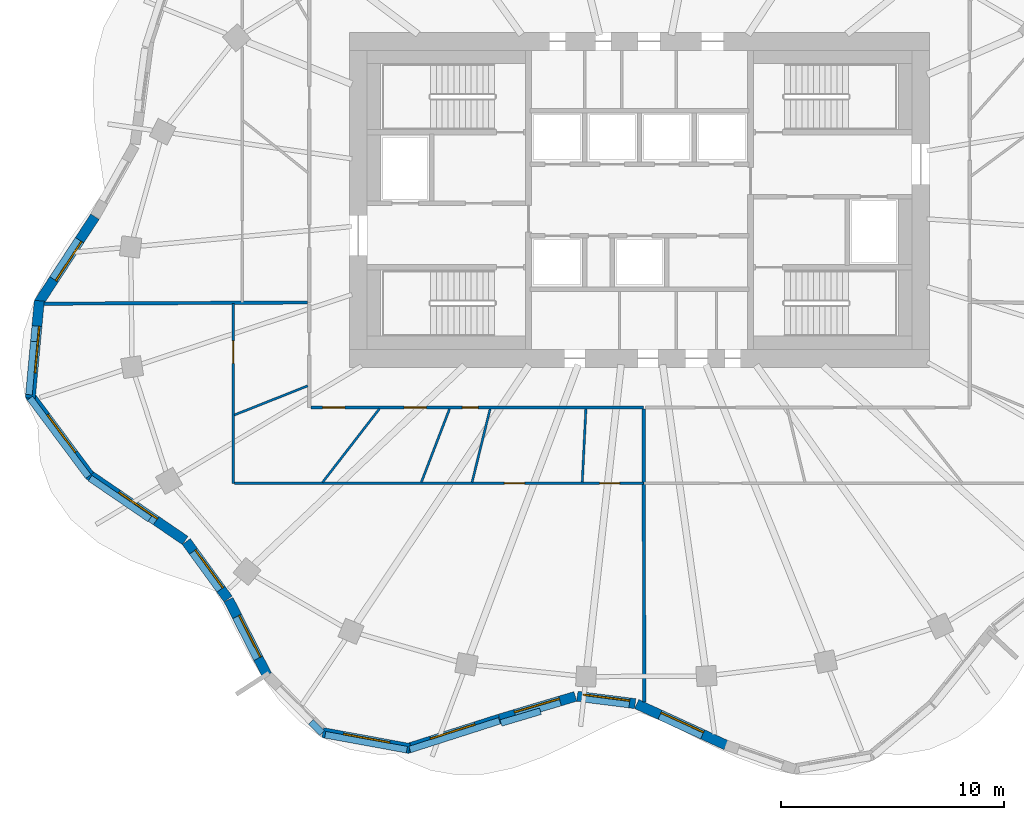
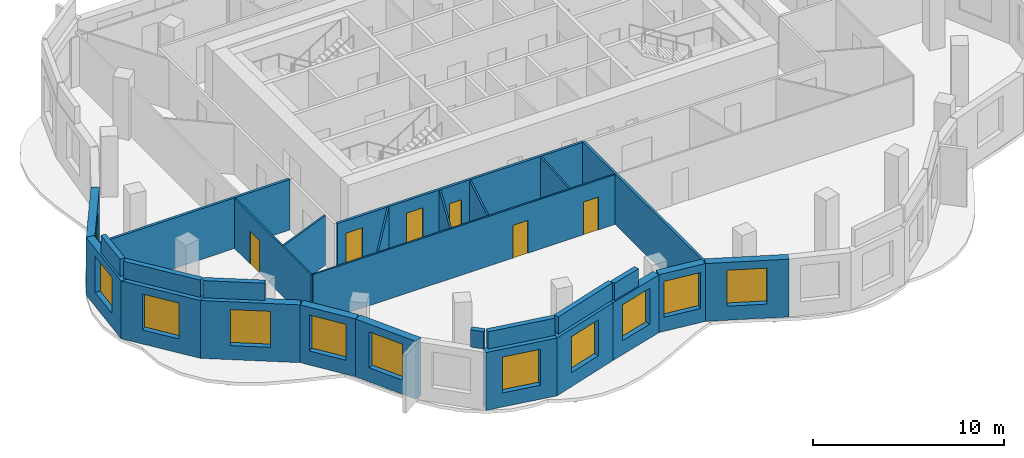
# One storey, part 3 of 9: 28 walls, 11 windows, 6 doors, 17 openings.
"""IFC4 building model written with IfcOpenShell, lengths in metres."""

import ifcopenshell
import ifcopenshell.guid

model = None  # the IFC model being written
_history = None  # IfcOwnerHistory: only IFC2X3 demands one
_inside = {}  # id of a spatial element -> (the spatial element, [elements in it])
_under = {}  # id of a project, library or spatial element -> (it, [spatial elements below it])
_declared = {}  # id of a project -> (the project, [libraries it declares])
_typed = {}  # id of a type object -> (the type object, [elements of that type])
_made_of = {}  # id of a material, layer set ... -> (it, [elements and type objects made of it])


def new_model(schema):
    """Start an empty IFC model of exactly this schema.

    Asked for "IFC4X3", IfcOpenShell would pick the latest addendum, in which some entities
    have other attributes; the version numbers below select the first issue.
    IFC2X3 requires an IfcOwnerHistory on every rooted entity: one is made here for all.
    """
    global model, _history
    if schema == "IFC4X3":
        model = ifcopenshell.file(schema_version=(4, 3, 0, 0))
    else:
        model = ifcopenshell.file(schema=schema)
    _inside.clear()
    _under.clear()
    _declared.clear()
    _typed.clear()
    _made_of.clear()
    _history = None
    if model.schema == "IFC2X3":
        org = make("IfcOrganization", Name="unknown")
        user = make(
            "IfcPersonAndOrganization",
            ThePerson=make("IfcPerson", FamilyName="unknown"),
            TheOrganization=org,
        )
        app = make(
            "IfcApplication",
            ApplicationDeveloper=org,
            Version="unknown",
            ApplicationFullName="unknown",
            ApplicationIdentifier="unknown",
        )
        _history = make(
            "IfcOwnerHistory",
            OwningUser=user,
            OwningApplication=app,
            ChangeAction="ADDED",
            CreationDate=0,
        )
    return model


def make(cls, **values):
    """One entity of the class cls with the attributes given. An attribute that is None is left unset."""
    return model.create_entity(
        cls, **{name: value for name, value in values.items() if value is not None}
    )


def rooted(cls, **values):
    """An entity with a GlobalId (a new one), such as an element, a storey or a relation."""
    return make(cls, GlobalId=ifcopenshell.guid.new(), OwnerHistory=_history, **values)


def si_unit(unit_type, name, prefix=None):
    """IfcSIUnit, for example si_unit("LENGTHUNIT", "METRE", prefix="MILLI")."""
    return make("IfcSIUnit", UnitType=unit_type, Prefix=prefix, Name=name)


def assignment(units):
    """IfcUnitAssignment: the units of a project."""
    return None if units is None else make("IfcUnitAssignment", Units=units)


def point(xyz):
    """IfcCartesianPoint."""
    return None if xyz is None else make("IfcCartesianPoint", Coordinates=xyz)


def direction(xyz):
    """IfcDirection."""
    return None if xyz is None else make("IfcDirection", DirectionRatios=xyz)


def frame(location, z_axis=None, x_axis=None):
    """IfcAxis2Placement3D, a coordinate frame: its origin and axes. An axis left out is left unset."""
    return make(
        "IfcAxis2Placement3D",
        Location=point(location),
        Axis=direction(z_axis),
        RefDirection=direction(x_axis),
    )


def frame_2d(location, x_axis=None):
    """IfcAxis2Placement2D, a coordinate frame in the plane: its origin and x axis."""
    return make(
        "IfcAxis2Placement2D", Location=point(location), RefDirection=direction(x_axis)
    )


def origin():
    """The frame at (0, 0, 0) with its axes left unset."""
    return frame((0.0, 0.0, 0.0))


def place(relative_to, where):
    """IfcLocalPlacement: puts the frame where relative to a parent placement (None: the world)."""
    return make(
        "IfcLocalPlacement", PlacementRelTo=relative_to, RelativePlacement=where
    )


def context(
    kind, dimensions, precision=None, world=None, true_north=None, identifier=None
):
    """IfcGeometricRepresentationContext, for example the 3D "Model" context."""
    return make(
        "IfcGeometricRepresentationContext",
        ContextIdentifier=identifier,
        ContextType=kind,
        CoordinateSpaceDimension=dimensions,
        Precision=precision,
        WorldCoordinateSystem=world,
        TrueNorth=true_north,
    )


def subcontext(parent, identifier, kind, view, scale=None):
    """IfcGeometricRepresentationSubContext, for example "Body" below "Model"."""
    return make(
        "IfcGeometricRepresentationSubContext",
        ContextIdentifier=identifier,
        ContextType=kind,
        ParentContext=parent,
        TargetScale=scale,
        TargetView=view,
    )


def project(units=None, contexts=None):
    """IfcProject with its units and contexts."""
    return rooted(
        "IfcProject",
        Name="project",
        RepresentationContexts=contexts,
        UnitsInContext=assignment(units),
    )


def spatial(cls, under=None, at=None, **own):
    """A site, building, storey or space (cls), placed at a placement, below another one or the project."""
    s = rooted(cls, ObjectPlacement=at, **own)
    if under is not None:
        _under.setdefault(under.id(), (under, []))[1].append(s)
    return s


def profile(cls, at=None, kind="AREA", **sizes):
    """A parametric profile (cls). Its sizes go by their IFC names, for example OverallWidth=200.0."""
    return make(cls, ProfileType=kind, Position=at, **sizes)


def rectangle(**sizes):
    """IfcRectangleProfileDef."""
    return profile("IfcRectangleProfileDef", **sizes)


def extrude(swept, where, along, depth):
    """IfcExtrudedAreaSolid: the profile swept, set in the frame where, extruded along a direction by depth."""
    return make(
        "IfcExtrudedAreaSolid",
        SweptArea=swept,
        Position=where,
        ExtrudedDirection=direction(along),
        Depth=depth,
    )


def shape(context_of_items, identifier, shape_type, items):
    """IfcShapeRepresentation: the items that make up one representation, for example the "Body"."""
    return make(
        "IfcShapeRepresentation",
        ContextOfItems=context_of_items,
        RepresentationIdentifier=identifier,
        RepresentationType=shape_type,
        Items=items,
    )


def material(Name=None, Category=None):
    """IfcMaterial."""
    return make("IfcMaterial", Name=Name, Category=Category)


def layer(
    of_material, thickness, ventilated=None, Name=None, Category=None, Priority=None
):
    """IfcMaterialLayer: one layer of a wall or slab, of a material (None: an air gap)."""
    return make(
        "IfcMaterialLayer",
        Material=of_material,
        LayerThickness=thickness,
        IsVentilated=ventilated,
        Name=Name,
        Category=Category,
        Priority=Priority,
    )


def layer_set(layers, Name=None):
    """IfcMaterialLayerSet."""
    return make("IfcMaterialLayerSet", MaterialLayers=layers, LayerSetName=Name)


def made_of(thing, what):
    """Note that an element or type object is made of a material, layer set ...; save() writes the relation."""
    if what is not None:
        _made_of.setdefault(what.id(), (what, []))[1].append(thing)
    return thing


def type_object(cls, material=None, **own):
    """A type object (cls), such as IfcWallType, which elements share."""
    return made_of(rooted(cls, **own), material)


def element(
    cls,
    number,
    at=None,
    inside=None,
    cuts=None,
    type_object=None,
    material=None,
    context=None,
    identifier="Body",
    shape_type=None,
    held_by="IfcProductDefinitionShape",
    body=None,
    shapes=None,
    **own,
):
    """One element of the class cls, such as IfcWall. Its Tag is "e" and its number.

    at: its placement. inside: the storey or other place that contains it. cuts: it is an
    opening in that element (IfcRelVoidsElement). A single representation is given by context,
    identifier, shape_type and body (its items); several are given by shapes. held_by: the class
    of the entity that holds the representations. save() writes the other relations.
    """
    e = rooted(cls, Tag="e%d" % number, ObjectPlacement=at, **own)
    if body is not None:
        shapes = [shape(context, identifier, shape_type, body)]
    if shapes is not None:
        e.Representation = make(held_by, Representations=shapes)
    if inside is not None:
        _inside.setdefault(inside.id(), (inside, []))[1].append(e)
    if cuts is not None:
        rooted(
            "IfcRelVoidsElement", RelatingBuildingElement=cuts, RelatedOpeningElement=e
        )
    if type_object is not None:
        _typed.setdefault(type_object.id(), (type_object, []))[1].append(e)
    return made_of(e, material)


def fill(opening, filler):
    """IfcRelFillsElement: the door or window that sits in an opening."""
    return rooted(
        "IfcRelFillsElement",
        RelatingOpeningElement=opening,
        RelatedBuildingElement=filler,
    )


def aggregate(whole, parts):
    """IfcRelAggregates: a whole, such as a stair, and the parts it consists of."""
    return rooted("IfcRelAggregates", RelatingObject=whole, RelatedObjects=parts)


def save(model, path):
    """Write the relations noted so far, then the file.

    IfcRelAggregates (storeys below a building ...), IfcRelContainedInSpatialStructure (elements
    in a storey), IfcRelDefinesByType, IfcRelAssociatesMaterial and IfcRelDeclares: one each for
    every whole, place, type object, material and project.
    """
    for whole, parts in _under.values():
        aggregate(whole, parts)
    for where, things in _inside.values():
        rooted(
            "IfcRelContainedInSpatialStructure",
            RelatedElements=things,
            RelatingStructure=where,
        )
    for kind, things in _typed.values():
        rooted("IfcRelDefinesByType", RelatedObjects=things, RelatingType=kind)
    for what, things in _made_of.values():
        rooted("IfcRelAssociatesMaterial", RelatedObjects=things, RelatingMaterial=what)
    for by, libraries in _declared.values():
        rooted("IfcRelDeclares", RelatingContext=by, RelatedDefinitions=libraries)
    model.write(path)


model = new_model("IFC4")

# Units and contexts
model_context = context("Model", 3, precision=1e-05, world=origin(), true_north=direction((0.0, 1.0)))
body_context = subcontext(model_context, "Body", "Model", "MODEL_VIEW")
ifc_project = project(units=[si_unit("LENGTHUNIT", "METRE"), si_unit("AREAUNIT", "SQUARE_METRE"), si_unit("VOLUMEUNIT", "CUBIC_METRE"), si_unit("PLANEANGLEUNIT", "RADIAN"), si_unit("MASSUNIT", "GRAM", prefix="KILO")], contexts=[model_context])

# Site, building, storey
site_placement = place(None, origin())
site = spatial("IfcSite", under=ifc_project, at=site_placement, CompositionType="ELEMENT")
building_placement = place(site_placement, origin())
building = spatial("IfcBuilding", under=site, at=building_placement, Name="Rubra Terraces Tower", CompositionType="ELEMENT")
storey_placement = place(building_placement, frame((0.0, 0.0, 300.0)))
storey = spatial("IfcBuildingStorey", under=building, at=storey_placement, Name="L74", CompositionType="ELEMENT", Elevation=300.0)

# Wall, opening, window
ifc_material_1 = material(Name="Brick masonry red-brown", Category="masonry")
ifc_layer_1 = layer(ifc_material_1, 0.449951171875)
ifc_layer_set_1 = layer_set([ifc_layer_1], Name="Brick masonry red-brown")
wall_type_1 = type_object("IfcWallType", Name="Brick facade wall 450", PredefinedType="SOLIDWALL", material=ifc_layer_set_1)
wall_1_placement = place(storey_placement, frame((-24.401123046875, 3.74462890625, 0.0), z_axis=(0.0, 0.0, 1.0), x_axis=(-0.547072638725, -0.837085137819, 0.0)))
wall_1 = element("IfcWall", 1, at=wall_1_placement, inside=storey, type_object=wall_type_1, Name="Facade wall L74 bay 20", PredefinedType="SOLIDWALL", context=body_context, shape_type="SweptSolid", body=[
    extrude(rectangle(XDim=4.61572265625, YDim=0.449951171875, at=frame_2d((2.307861328125, 0.0))), origin(), (0.0, 0.0, 1.0), 3.699951171875),
])
opening_1_placement = place(wall_1_placement, frame((1.2578125, 0.0, 0.89990234375)))
opening_1 = element("IfcOpeningElement", 2, at=opening_1_placement, cuts=wall_1, Name="Opening W1B", PredefinedType="OPENING", context=body_context, shape_type="SweptSolid", body=[
    extrude(rectangle(XDim=2.10009765625, YDim=2.300048828125, at=frame_2d((1.050048828125, 1.14990234375))), frame((0.0, 0.23486328125, 0.0), z_axis=(0.0, -1.0, 0.0), x_axis=(1.0, 0.0, 0.0)), (0.0, 0.0, 1.0), 0.469970703125),
])
ifc_material_2 = material(Name="Clear glass in aluminium frame", Category="aluminium")
window_type = type_object("IfcWindowType", Name="Fixed deep-set window tall storey 2100 x 2300", PartitioningType="SINGLE_PANEL", PredefinedType="WINDOW", material=ifc_material_2)
window_1_placement = place(opening_1_placement, origin())
window_1 = element("IfcWindow", 3, at=window_1_placement, inside=storey, type_object=window_type, Name="Window L74 bay 20", OverallHeight=2.300048828125, OverallWidth=2.10009765625, PartitioningType="SINGLE_PANEL", PredefinedType="WINDOW", context=body_context, shape_type="SweptSolid", body=[
    extrude(rectangle(XDim=2.10009765625, YDim=2.300048828125, at=frame_2d((1.050048828125, 1.14990234375))), frame((0.0, 0.135009765625, 0.0), z_axis=(0.0, -1.0, 0.0), x_axis=(1.0, 0.0, 0.0)), (0.0, 0.0, 1.0), 0.06005859375),
])
fill(opening_1, window_1)

wall_2_placement = place(storey_placement, frame((-26.892822265625, -0.020751953125, 0.0), z_axis=(0.0, 0.0, 1.0), x_axis=(-0.092079421996, -0.995751665851, 0.0)))
wall_2 = element("IfcWall", 4, at=wall_2_placement, inside=storey, type_object=wall_type_1, Name="Facade wall L74 bay 21", PredefinedType="SOLIDWALL", context=body_context, shape_type="SweptSolid", body=[
    extrude(rectangle(XDim=4.37744140625, YDim=0.449951171875, at=frame_2d((2.188720703125, 0.0))), origin(), (0.0, 0.0, 1.0), 3.699951171875),
])
opening_2_placement = place(wall_2_placement, frame((1.138916015625, 0.0, 0.89990234375)))
opening_2 = element("IfcOpeningElement", 5, at=opening_2_placement, cuts=wall_2, Name="Opening W1B", PredefinedType="OPENING", context=body_context, shape_type="SweptSolid", body=[
    extrude(rectangle(XDim=2.10009765625, YDim=2.300048828125, at=frame_2d((1.050048828125, 1.14990234375))), frame((0.0, 0.23486328125, 0.0), z_axis=(0.0, -1.0, 0.0), x_axis=(1.0, 0.0, 0.0)), (0.0, 0.0, 1.0), 0.469970703125),
])
window_2_placement = place(opening_2_placement, origin())
window_2 = element("IfcWindow", 6, at=window_2_placement, inside=storey, type_object=window_type, Name="Window L74 bay 21", OverallHeight=2.300048828125, OverallWidth=2.10009765625, PartitioningType="SINGLE_PANEL", PredefinedType="WINDOW", context=body_context, shape_type="SweptSolid", body=[
    extrude(rectangle(XDim=2.10009765625, YDim=2.300048828125, at=frame_2d((1.050048828125, 1.14990234375))), frame((0.0, 0.135009765625, 0.0), z_axis=(0.0, -1.0, 0.0), x_axis=(1.0, 0.0, 0.0)), (0.0, 0.0, 1.0), 0.06005859375),
])
fill(opening_2, window_2)

wall_3_placement = place(storey_placement, frame((-27.339599609375, -4.224609375, 0.0), z_axis=(0.0, 0.0, 1.0), x_axis=(0.597544608195, -0.801835669709, 0.0)))
wall_3 = element("IfcWall", 7, at=wall_3_placement, inside=storey, type_object=wall_type_1, Name="Facade wall L74 bay 22", PredefinedType="SOLIDWALL", context=body_context, shape_type="SweptSolid", body=[
    extrude(rectangle(XDim=4.523193359375, YDim=0.449951171875, at=frame_2d((2.26171875, 0.0))), origin(), (0.0, 0.0, 1.0), 3.699951171875),
])
opening_3_placement = place(wall_3_placement, frame((1.211669921875, 0.0, 0.89990234375)))
opening_3 = element("IfcOpeningElement", 8, at=opening_3_placement, cuts=wall_3, Name="Opening W1B", PredefinedType="OPENING", context=body_context, shape_type="SweptSolid", body=[
    extrude(rectangle(XDim=2.10009765625, YDim=2.300048828125, at=frame_2d((1.050048828125, 1.14990234375))), frame((0.0, 0.23486328125, 0.0), z_axis=(0.0, -1.0, 0.0), x_axis=(1.0, 0.0, 0.0)), (0.0, 0.0, 1.0), 0.469970703125),
])
window_3_placement = place(opening_3_placement, origin())
window_3 = element("IfcWindow", 9, at=window_3_placement, inside=storey, type_object=window_type, Name="Window L74 bay 22", OverallHeight=2.300048828125, OverallWidth=2.10009765625, PartitioningType="SINGLE_PANEL", PredefinedType="WINDOW", context=body_context, shape_type="SweptSolid", body=[
    extrude(rectangle(XDim=2.10009765625, YDim=2.300048828125, at=frame_2d((1.050048828125, 1.14990234375))), frame((0.0, 0.135009765625, 0.0), z_axis=(0.0, -1.0, 0.0), x_axis=(1.0, 0.0, 0.0)), (0.0, 0.0, 1.0), 0.06005859375),
])
fill(opening_3, window_3)

wall_4_placement = place(storey_placement, frame((-24.690185546875, -7.80029296875, 0.0), z_axis=(0.0, 0.0, 1.0), x_axis=(0.825631274437, -0.564210066085, 0.0)))
wall_4 = element("IfcWall", 10, at=wall_4_placement, inside=storey, type_object=wall_type_1, Name="Facade wall L74 bay 23", PredefinedType="SOLIDWALL", context=body_context, shape_type="SweptSolid", body=[
    extrude(rectangle(XDim=5.24658203125, YDim=0.449951171875, at=frame_2d((2.623291015625, 0.0))), origin(), (0.0, 0.0, 1.0), 3.699951171875),
])
opening_4_placement = place(wall_4_placement, frame((1.573486328125, 0.0, 0.89990234375)))
opening_4 = element("IfcOpeningElement", 11, at=opening_4_placement, cuts=wall_4, Name="Opening W1B", PredefinedType="OPENING", context=body_context, shape_type="SweptSolid", body=[
    extrude(rectangle(XDim=2.10009765625, YDim=2.300048828125, at=frame_2d((1.050048828125, 1.14990234375))), frame((0.0, 0.23486328125, 0.0), z_axis=(0.0, -1.0, 0.0), x_axis=(1.0, 0.0, 0.0)), (0.0, 0.0, 1.0), 0.469970703125),
])
window_4_placement = place(opening_4_placement, origin())
window_4 = element("IfcWindow", 12, at=window_4_placement, inside=storey, type_object=window_type, Name="Window L74 bay 23", OverallHeight=2.300048828125, OverallWidth=2.10009765625, PartitioningType="SINGLE_PANEL", PredefinedType="WINDOW", context=body_context, shape_type="SweptSolid", body=[
    extrude(rectangle(XDim=2.10009765625, YDim=2.300048828125, at=frame_2d((1.050048828125, 1.14990234375))), frame((0.0, 0.135009765625, 0.0), z_axis=(0.0, -1.0, 0.0), x_axis=(1.0, 0.0, 0.0)), (0.0, 0.0, 1.0), 0.06005859375),
])
fill(opening_4, window_4)

wall_5_placement = place(storey_placement, frame((-20.307373046875, -10.808349609375, 0.0), z_axis=(0.0, 0.0, 1.0), x_axis=(0.588623179346, -0.808407541242, 0.0)))
wall_5 = element("IfcWall", 13, at=wall_5_placement, inside=storey, type_object=wall_type_1, Name="Facade wall L74 bay 24", PredefinedType="SOLIDWALL", context=body_context, shape_type="SweptSolid", body=[
    extrude(rectangle(XDim=3.1826171875, YDim=0.449951171875, at=frame_2d((1.59130859375, 0.0))), origin(), (0.0, 0.0, 1.0), 3.699951171875),
])
opening_5_placement = place(wall_5_placement, frame((0.541259765625, 0.0, 0.89990234375)))
opening_5 = element("IfcOpeningElement", 14, at=opening_5_placement, cuts=wall_5, Name="Opening W1B", PredefinedType="OPENING", context=body_context, shape_type="SweptSolid", body=[
    extrude(rectangle(XDim=2.10009765625, YDim=2.300048828125, at=frame_2d((1.050048828125, 1.14990234375))), frame((0.0, 0.23486328125, 0.0), z_axis=(0.0, -1.0, 0.0), x_axis=(1.0, 0.0, 0.0)), (0.0, 0.0, 1.0), 0.469970703125),
])
window_5_placement = place(opening_5_placement, origin())
window_5 = element("IfcWindow", 15, at=window_5_placement, inside=storey, type_object=window_type, Name="Window L74 bay 24", OverallHeight=2.300048828125, OverallWidth=2.10009765625, PartitioningType="SINGLE_PANEL", PredefinedType="WINDOW", context=body_context, shape_type="SweptSolid", body=[
    extrude(rectangle(XDim=2.10009765625, YDim=2.300048828125, at=frame_2d((1.050048828125, 1.14990234375))), frame((0.0, 0.135009765625, 0.0), z_axis=(0.0, -1.0, 0.0), x_axis=(1.0, 0.0, 0.0)), (0.0, 0.0, 1.0), 0.06005859375),
])
fill(opening_5, window_5)

wall_6_placement = place(storey_placement, frame((-18.4140625, -13.412109375, 0.0), z_axis=(0.0, 0.0, 1.0), x_axis=(0.453339558905, -0.891337895712, 0.0)))
wall_6 = element("IfcWall", 16, at=wall_6_placement, inside=storey, type_object=wall_type_1, Name="Facade wall L74 bay 25", PredefinedType="SOLIDWALL", context=body_context, shape_type="SweptSolid", body=[
    extrude(rectangle(XDim=3.78759765625, YDim=0.449951171875, at=frame_2d((1.893798828125, 0.0))), origin(), (0.0, 0.0, 1.0), 3.699951171875),
])
opening_6_placement = place(wall_6_placement, frame((0.843994140625, 0.0, 0.89990234375)))
opening_6 = element("IfcOpeningElement", 17, at=opening_6_placement, cuts=wall_6, Name="Opening W1B", PredefinedType="OPENING", context=body_context, shape_type="SweptSolid", body=[
    extrude(rectangle(XDim=2.10009765625, YDim=2.300048828125, at=frame_2d((1.050048828125, 1.14990234375))), frame((0.0, 0.23486328125, 0.0), z_axis=(0.0, -1.0, 0.0), x_axis=(1.0, 0.0, 0.0)), (0.0, 0.0, 1.0), 0.469970703125),
])
window_6_placement = place(opening_6_placement, origin())
window_6 = element("IfcWindow", 18, at=window_6_placement, inside=storey, type_object=window_type, Name="Window L74 bay 25", OverallHeight=2.300048828125, OverallWidth=2.10009765625, PartitioningType="SINGLE_PANEL", PredefinedType="WINDOW", context=body_context, shape_type="SweptSolid", body=[
    extrude(rectangle(XDim=2.10009765625, YDim=2.300048828125, at=frame_2d((1.050048828125, 1.14990234375))), frame((0.0, 0.135009765625, 0.0), z_axis=(0.0, -1.0, 0.0), x_axis=(1.0, 0.0, 0.0)), (0.0, 0.0, 1.0), 0.06005859375),
])
fill(opening_6, window_6)

wall_7_placement = place(storey_placement, frame((-14.193603515625, -19.36962890625, 0.0), z_axis=(0.0, 0.0, 1.0), x_axis=(0.983644868335, -0.180118774698, 0.0)))
wall_7 = element("IfcWall", 19, at=wall_7_placement, inside=storey, type_object=wall_type_1, Name="Facade wall L74 bay 27", PredefinedType="SOLIDWALL", context=body_context, shape_type="SweptSolid", body=[
    extrude(rectangle(XDim=3.953857421875, YDim=0.449951171875, at=frame_2d((1.97705078125, 0.0))), origin(), (0.0, 0.0, 1.0), 3.699951171875),
])
opening_7_placement = place(wall_7_placement, frame((0.9267578125, 0.0, 0.89990234375)))
opening_7 = element("IfcOpeningElement", 20, at=opening_7_placement, cuts=wall_7, Name="Opening W1B", PredefinedType="OPENING", context=body_context, shape_type="SweptSolid", body=[
    extrude(rectangle(XDim=2.10009765625, YDim=2.300048828125, at=frame_2d((1.050048828125, 1.14990234375))), frame((0.0, 0.23486328125, 0.0), z_axis=(0.0, -1.0, 0.0), x_axis=(1.0, 0.0, 0.0)), (0.0, 0.0, 1.0), 0.469970703125),
])
window_7_placement = place(opening_7_placement, origin())
window_7 = element("IfcWindow", 21, at=window_7_placement, inside=storey, type_object=window_type, Name="Window L74 bay 27", OverallHeight=2.300048828125, OverallWidth=2.10009765625, PartitioningType="SINGLE_PANEL", PredefinedType="WINDOW", context=body_context, shape_type="SweptSolid", body=[
    extrude(rectangle(XDim=2.10009765625, YDim=2.300048828125, at=frame_2d((1.050048828125, 1.14990234375))), frame((0.0, 0.135009765625, 0.0), z_axis=(0.0, -1.0, 0.0), x_axis=(1.0, 0.0, 0.0)), (0.0, 0.0, 1.0), 0.06005859375),
])
fill(opening_7, window_7)

wall_8_placement = place(storey_placement, frame((-10.410888671875, -20.087890625, 0.0), z_axis=(0.0, 0.0, 1.0), x_axis=(0.952259303219, 0.305290385423, 0.0)))
wall_8 = element("IfcWall", 22, at=wall_8_placement, inside=storey, type_object=wall_type_1, Name="Facade wall L74 bay 28", PredefinedType="SOLIDWALL", context=body_context, shape_type="SweptSolid", body=[
    extrude(rectangle(XDim=4.354248046875, YDim=0.449951171875, at=frame_2d((2.17724609375, 0.0))), origin(), (0.0, 0.0, 1.0), 3.699951171875),
])
opening_8_placement = place(wall_8_placement, frame((1.127197265625, 0.0, 0.89990234375)))
opening_8 = element("IfcOpeningElement", 23, at=opening_8_placement, cuts=wall_8, Name="Opening W1B", PredefinedType="OPENING", context=body_context, shape_type="SweptSolid", body=[
    extrude(rectangle(XDim=2.10009765625, YDim=2.300048828125, at=frame_2d((1.050048828125, 1.14990234375))), frame((0.0, 0.23486328125, 0.0), z_axis=(0.0, -1.0, 0.0), x_axis=(1.0, 0.0, 0.0)), (0.0, 0.0, 1.0), 0.469970703125),
])
window_8_placement = place(opening_8_placement, origin())
window_8 = element("IfcWindow", 24, at=window_8_placement, inside=storey, type_object=window_type, Name="Window L74 bay 28", OverallHeight=2.300048828125, OverallWidth=2.10009765625, PartitioningType="SINGLE_PANEL", PredefinedType="WINDOW", context=body_context, shape_type="SweptSolid", body=[
    extrude(rectangle(XDim=2.10009765625, YDim=2.300048828125, at=frame_2d((1.050048828125, 1.14990234375))), frame((0.0, 0.135009765625, 0.0), z_axis=(0.0, -1.0, 0.0), x_axis=(1.0, 0.0, 0.0)), (0.0, 0.0, 1.0), 0.06005859375),
])
fill(opening_8, window_8)

wall_9_placement = place(storey_placement, frame((-6.25927734375, -18.757080078125, 0.0), z_axis=(0.0, 0.0, 1.0), x_axis=(0.958402993098, 0.285418469658, 0.0)))
wall_9 = element("IfcWall", 25, at=wall_9_placement, inside=storey, type_object=wall_type_1, Name="Facade wall L74 bay 29", PredefinedType="SOLIDWALL", context=body_context, shape_type="SweptSolid", body=[
    extrude(rectangle(XDim=3.530029296875, YDim=0.449951171875, at=frame_2d((1.76513671875, 0.0))), origin(), (0.0, 0.0, 1.0), 3.699951171875),
])
opening_9_placement = place(wall_9_placement, frame((0.715087890625, 0.0, 0.89990234375)))
opening_9 = element("IfcOpeningElement", 26, at=opening_9_placement, cuts=wall_9, Name="Opening W1B", PredefinedType="OPENING", context=body_context, shape_type="SweptSolid", body=[
    extrude(rectangle(XDim=2.10009765625, YDim=2.300048828125, at=frame_2d((1.050048828125, 1.14990234375))), frame((0.0, 0.23486328125, 0.0), z_axis=(0.0, -1.0, 0.0), x_axis=(1.0, 0.0, 0.0)), (0.0, 0.0, 1.0), 0.469970703125),
])
window_9_placement = place(opening_9_placement, origin())
window_9 = element("IfcWindow", 27, at=window_9_placement, inside=storey, type_object=window_type, Name="Window L74 bay 29", OverallHeight=2.300048828125, OverallWidth=2.10009765625, PartitioningType="SINGLE_PANEL", PredefinedType="WINDOW", context=body_context, shape_type="SweptSolid", body=[
    extrude(rectangle(XDim=2.10009765625, YDim=2.300048828125, at=frame_2d((1.050048828125, 1.14990234375))), frame((0.0, 0.135009765625, 0.0), z_axis=(0.0, -1.0, 0.0), x_axis=(1.0, 0.0, 0.0)), (0.0, 0.0, 1.0), 0.06005859375),
])
fill(opening_9, window_9)

wall_10_placement = place(storey_placement, frame((-2.786865234375, -17.7431640625, 0.0), z_axis=(0.0, 0.0, 1.0), x_axis=(0.992082884112, -0.125584836078, 0.0)))
wall_10 = element("IfcWall", 28, at=wall_10_placement, inside=storey, type_object=wall_type_1, Name="Facade wall L74 bay 30", PredefinedType="SOLIDWALL", context=body_context, shape_type="SweptSolid", body=[
    extrude(rectangle(XDim=2.61669921875, YDim=0.449951171875, at=frame_2d((1.308349609375, 0.0))), origin(), (0.0, 0.0, 1.0), 3.699951171875),
])
opening_10_placement = place(wall_10_placement, frame((0.25830078125, 0.0, 0.89990234375)))
opening_10 = element("IfcOpeningElement", 29, at=opening_10_placement, cuts=wall_10, Name="Opening W1B", PredefinedType="OPENING", context=body_context, shape_type="SweptSolid", body=[
    extrude(rectangle(XDim=2.10009765625, YDim=2.300048828125, at=frame_2d((1.050048828125, 1.14990234375))), frame((0.0, 0.23486328125, 0.0), z_axis=(0.0, -1.0, 0.0), x_axis=(1.0, 0.0, 0.0)), (0.0, 0.0, 1.0), 0.469970703125),
])
window_10_placement = place(opening_10_placement, origin())
window_10 = element("IfcWindow", 30, at=window_10_placement, inside=storey, type_object=window_type, Name="Window L74 bay 30", OverallHeight=2.300048828125, OverallWidth=2.10009765625, PartitioningType="SINGLE_PANEL", PredefinedType="WINDOW", context=body_context, shape_type="SweptSolid", body=[
    extrude(rectangle(XDim=2.10009765625, YDim=2.300048828125, at=frame_2d((1.050048828125, 1.14990234375))), frame((0.0, 0.135009765625, 0.0), z_axis=(0.0, -1.0, 0.0), x_axis=(1.0, 0.0, 0.0)), (0.0, 0.0, 1.0), 0.06005859375),
])
fill(opening_10, window_10)

wall_11_placement = place(storey_placement, frame((-0.125, -18.090576171875, 0.0), z_axis=(0.0, 0.0, 1.0), x_axis=(0.908677980036, -0.417497698912, 0.0)))
wall_11 = element("IfcWall", 31, at=wall_11_placement, inside=storey, type_object=wall_type_1, Name="Facade wall L74 bay 31", PredefinedType="SOLIDWALL", context=body_context, shape_type="SweptSolid", body=[
    extrude(rectangle(XDim=4.40673828125, YDim=0.449951171875, at=frame_2d((2.203369140625, 0.0))), origin(), (0.0, 0.0, 1.0), 3.699951171875),
])
opening_11_placement = place(wall_11_placement, frame((1.153564453125, 0.0, 0.89990234375)))
opening_11 = element("IfcOpeningElement", 32, at=opening_11_placement, cuts=wall_11, Name="Opening W1B", PredefinedType="OPENING", context=body_context, shape_type="SweptSolid", body=[
    extrude(rectangle(XDim=2.10009765625, YDim=2.300048828125, at=frame_2d((1.050048828125, 1.14990234375))), frame((0.0, 0.23486328125, 0.0), z_axis=(0.0, -1.0, 0.0), x_axis=(1.0, 0.0, 0.0)), (0.0, 0.0, 1.0), 0.469970703125),
])
window_11_placement = place(opening_11_placement, origin())
window_11 = element("IfcWindow", 33, at=window_11_placement, inside=storey, type_object=window_type, Name="Window L74 bay 31", OverallHeight=2.300048828125, OverallWidth=2.10009765625, PartitioningType="SINGLE_PANEL", PredefinedType="WINDOW", context=body_context, shape_type="SweptSolid", body=[
    extrude(rectangle(XDim=2.10009765625, YDim=2.300048828125, at=frame_2d((1.050048828125, 1.14990234375))), frame((0.0, 0.135009765625, 0.0), z_axis=(0.0, -1.0, 0.0), x_axis=(1.0, 0.0, 0.0)), (0.0, 0.0, 1.0), 0.06005859375),
])
fill(opening_11, window_11)

# Walls
ifc_layer_2 = layer(ifc_material_1, 0.300048828125)
ifc_layer_set_2 = layer_set([ifc_layer_2], Name="Brick masonry red-brown")
wall_type_2 = type_object("IfcWallType", Name="Brick parapet 300", PredefinedType="PARAPET", material=ifc_layer_set_2)
wall_12_placement = place(storey_placement, frame((-27.136962890625, -1.84423828125, 3.89990234375), z_axis=(0.0, 0.0, 1.0), x_axis=(-0.09207090573, -0.995752453333, 0.0)))
element("IfcWall", 34, at=wall_12_placement, inside=storey, type_object=wall_type_2, Name="Parapet L74 bay 21", PredefinedType="PARAPET", context=body_context, shape_type="SweptSolid", body=[
    extrude(rectangle(XDim=2.39453125, YDim=0.300048828125, at=frame_2d((1.197265625, 0.0))), origin(), (0.0, 0.0, 1.0), 1.10009765625),
])
wall_13_placement = place(storey_placement, frame((-27.31298828125, -4.3857421875, 3.89990234375), z_axis=(0.0, 0.0, 1.0), x_axis=(0.59755096896, -0.801830929495, 0.0)))
element("IfcWall", 35, at=wall_13_placement, inside=storey, type_object=wall_type_2, Name="Parapet L74 bay 22", PredefinedType="PARAPET", context=body_context, shape_type="SweptSolid", body=[
    extrude(rectangle(XDim=4.375244140625, YDim=0.300048828125, at=frame_2d((2.1875, 0.0))), origin(), (0.0, 0.0, 1.0), 1.10009765625),
])
wall_14_placement = place(storey_placement, frame((-24.620361328125, -7.96923828125, 3.89990234375), z_axis=(0.0, 0.0, 1.0), x_axis=(0.825656338645, -0.564173386872, 0.0)))
element("IfcWall", 36, at=wall_14_placement, inside=storey, type_object=wall_type_2, Name="Parapet L74 bay 23", PredefinedType="PARAPET", context=body_context, shape_type="SweptSolid", body=[
    extrude(rectangle(XDim=3.24072265625, YDim=0.300048828125, at=frame_2d((1.620361328125, 0.0))), origin(), (0.0, 0.0, 1.0), 1.10009765625),
])
wall_15_placement = place(storey_placement, frame((-14.719482421875, -18.885498046875, 3.89990234375), z_axis=(0.0, 0.0, 1.0), x_axis=(0.702333802144, -0.711847757857, 0.0)))
element("IfcWall", 37, at=wall_15_placement, inside=storey, type_object=wall_type_2, Name="Parapet L74 bay 26", PredefinedType="PARAPET", context=body_context, shape_type="SweptSolid", body=[
    extrude(rectangle(XDim=0.718505859375, YDim=0.300048828125, at=frame_2d((0.359375, 0.0))), origin(), (0.0, 0.0, 1.0), 1.10009765625),
])
wall_16_placement = place(storey_placement, frame((-14.08447265625, -19.4658203125, 3.89990234375), z_axis=(0.0, 0.0, 1.0), x_axis=(0.983649941349, -0.180091068307, 0.0)))
element("IfcWall", 38, at=wall_16_placement, inside=storey, type_object=wall_type_2, Name="Parapet L74 bay 27", PredefinedType="PARAPET", context=body_context, shape_type="SweptSolid", body=[
    extrude(rectangle(XDim=3.723876953125, YDim=0.300048828125, at=frame_2d((1.86181640625, 0.0))), origin(), (0.0, 0.0, 1.0), 1.10009765625),
])
wall_17_placement = place(storey_placement, frame((-10.29052734375, -20.1279296875, 3.89990234375), z_axis=(0.0, 0.0, 1.0), x_axis=(0.95227021617, 0.305256343745, 0.0)))
element("IfcWall", 39, at=wall_17_placement, inside=storey, type_object=wall_type_2, Name="Parapet L74 bay 28", PredefinedType="PARAPET", context=body_context, shape_type="SweptSolid", body=[
    extrude(rectangle(XDim=4.220458984375, YDim=0.300048828125, at=frame_2d((2.1103515625, 0.0))), origin(), (0.0, 0.0, 1.0), 1.10009765625),
])
wall_18_placement = place(storey_placement, frame((-6.2080078125, -18.939697265625, 3.89990234375), z_axis=(0.0, 0.0, 1.0), x_axis=(0.958406458316, 0.285406833587, 0.0)))
element("IfcWall", 40, at=wall_18_placement, inside=storey, type_object=wall_type_2, Name="Parapet L74 bay 29", PredefinedType="PARAPET", context=body_context, shape_type="SweptSolid", body=[
    extrude(rectangle(XDim=1.846923828125, YDim=0.300048828125, at=frame_2d((0.92333984375, 0.0))), origin(), (0.0, 0.0, 1.0), 1.10009765625),
])

# Wall, openings, doors
ifc_material_3 = material(Name="Plasterboard on steel stud, mineral wool infill", Category="steel")
ifc_layer_3 = layer(ifc_material_3, 0.14990234375)
ifc_layer_set_3 = layer_set([ifc_layer_3], Name="Plasterboard on steel stud, mineral wool infill")
wall_type_3 = type_object("IfcWallType", Name="CORRIDOR PARTITION 150", PredefinedType="PARTITIONING", material=ifc_layer_set_3)
wall_19_placement = place(storey_placement, frame((-14.72509765625, -4.800048828125, 0.0), z_axis=(0.0, 0.0, 1.0), x_axis=(1.0, 0.0, 0.0)))
wall_19 = element("IfcWall", 41, at=wall_19_placement, inside=storey, type_object=wall_type_3, Name="PARTITION", PredefinedType="PARTITIONING", context=body_context, shape_type="SweptSolid", body=[
    extrude(rectangle(XDim=14.91064453125, YDim=0.14990234375, at=frame_2d((7.455322265625, 0.0))), origin(), (0.0, 0.0, 1.0), 3.197998046875),
])
opening_12_placement = place(wall_19_placement, frame((0.52490234375, 0.0, 0.0)))
opening_12 = element("IfcOpeningElement", 42, at=opening_12_placement, cuts=wall_19, Name="Opening 74-112", PredefinedType="OPENING", context=body_context, shape_type="SweptSolid", body=[
    extrude(rectangle(XDim=1.0, YDim=2.39990234375, at=frame_2d((0.5, 1.199951171875))), frame((0.0, 0.0849609375, 0.0), z_axis=(0.0, -1.0, 0.0), x_axis=(1.0, 0.0, 0.0)), (0.0, 0.0, 1.0), 0.169921875),
])
opening_13_placement = place(wall_19_placement, frame((4.178955078125, 0.0, 0.0)))
opening_13 = element("IfcOpeningElement", 43, at=opening_13_placement, cuts=wall_19, Name="Opening 74-113", PredefinedType="OPENING", context=body_context, shape_type="SweptSolid", body=[
    extrude(rectangle(XDim=1.0, YDim=2.39990234375, at=frame_2d((0.5, 1.199951171875))), frame((0.0, 0.0849609375, 0.0), z_axis=(0.0, -1.0, 0.0), x_axis=(1.0, 0.0, 0.0)), (0.0, 0.0, 1.0), 0.169921875),
])
opening_14_placement = place(wall_19_placement, frame((6.7939453125, 0.0, 0.0)))
opening_14 = element("IfcOpeningElement", 44, at=opening_14_placement, cuts=wall_19, Name="Opening 74-114", PredefinedType="OPENING", context=body_context, shape_type="SweptSolid", body=[
    extrude(rectangle(XDim=0.699951171875, YDim=2.10009765625, at=frame_2d((0.35009765625, 1.050048828125))), frame((0.0, 0.0849609375, 0.0), z_axis=(0.0, -1.0, 0.0), x_axis=(1.0, 0.0, 0.0)), (0.0, 0.0, 1.0), 0.169921875),
])
ifc_material_4 = material(Name="Glazed aluminium meeting door leaf", Category="aluminium")
door_type_1 = type_object("IfcDoorType", Name="MEETING ROOM GLAZED DOOR 1000 X 2400", OperationType="SINGLE_SWING_LEFT", PredefinedType="DOOR", material=ifc_material_4)
door_1_placement = place(opening_12_placement, origin())
door_1 = element("IfcDoor", 45, at=door_1_placement, inside=storey, type_object=door_type_1, Name="DOOR 74-112", OperationType="SINGLE_SWING_RIGHT", OverallHeight=2.39990234375, OverallWidth=1.0, PredefinedType="DOOR", context=body_context, shape_type="SweptSolid", body=[
    extrude(rectangle(XDim=1.0, YDim=2.39990234375, at=frame_2d((0.5, 1.199951171875))), frame((0.0, 0.02490234375, 0.0), z_axis=(0.0, -1.0, 0.0), x_axis=(1.0, 0.0, 0.0)), (0.0, 0.0, 1.0), 0.050048828125),
])
fill(opening_12, door_1)
door_2_placement = place(opening_13_placement, origin())
door_2 = element("IfcDoor", 46, at=door_2_placement, inside=storey, type_object=door_type_1, Name="DOOR 74-113", OperationType="SINGLE_SWING_RIGHT", OverallHeight=2.39990234375, OverallWidth=1.0, PredefinedType="DOOR", context=body_context, shape_type="SweptSolid", body=[
    extrude(rectangle(XDim=1.0, YDim=2.39990234375, at=frame_2d((0.5, 1.199951171875))), frame((0.0, 0.02490234375, 0.0), z_axis=(0.0, -1.0, 0.0), x_axis=(1.0, 0.0, 0.0)), (0.0, 0.0, 1.0), 0.050048828125),
])
fill(opening_13, door_2)
ifc_material_5 = material(Name="Painted timber door leaf", Category="wood")
door_type_2 = type_object("IfcDoorType", Name="STORE DOOR 700 X 2100", OperationType="SINGLE_SWING_LEFT", PredefinedType="DOOR", material=ifc_material_5)
door_3_placement = place(opening_14_placement, origin())
door_3 = element("IfcDoor", 47, at=door_3_placement, inside=storey, type_object=door_type_2, Name="DOOR 74-114", OperationType="SINGLE_SWING_RIGHT", OverallHeight=2.10009765625, OverallWidth=0.699951171875, PredefinedType="DOOR", context=body_context, shape_type="SweptSolid", body=[
    extrude(rectangle(XDim=0.699951171875, YDim=2.10009765625, at=frame_2d((0.35009765625, 1.050048828125))), frame((0.0, 0.02490234375, 0.0), z_axis=(0.0, -1.0, 0.0), x_axis=(1.0, 0.0, 0.0)), (0.0, 0.0, 1.0), 0.050048828125),
])
fill(opening_14, door_3)

# Wall, opening, door
ifc_material_6 = material(Name="Plasterboard on steel stud", Category="steel")
ifc_layer_4 = layer(ifc_material_6, 0.10009765625)
ifc_layer_set_4 = layer_set([ifc_layer_4], Name="Plasterboard on steel stud")
wall_type_4 = type_object("IfcWallType", Name="ROOM PARTITION 100", PredefinedType="PARTITIONING", material=ifc_layer_set_4)
wall_20_placement = place(storey_placement, frame((-18.199951171875, -8.199951171875, 0.0), z_axis=(0.0, 0.0, 1.0), x_axis=(0.0, 1.0, 0.0)))
wall_20 = element("IfcWall", 48, at=wall_20_placement, inside=storey, type_object=wall_type_4, Name="PARTITION", PredefinedType="PARTITIONING", context=body_context, shape_type="SweptSolid", body=[
    extrude(rectangle(XDim=8.06787109375, YDim=0.10009765625, at=frame_2d((4.033935546875, 0.0))), origin(), (0.0, 0.0, 1.0), 3.18408203125),
])
opening_15_placement = place(wall_20_placement, frame((5.3779296875, 0.0, 0.0)))
opening_15 = element("IfcOpeningElement", 49, at=opening_15_placement, cuts=wall_20, Name="Opening 74-111", PredefinedType="OPENING", context=body_context, shape_type="SweptSolid", body=[
    extrude(rectangle(XDim=1.0, YDim=2.10009765625, at=frame_2d((0.5, 1.050048828125))), frame((0.0, 0.06005859375, 0.0), z_axis=(0.0, -1.0, 0.0), x_axis=(1.0, 0.0, 0.0)), (0.0, 0.0, 1.0), 0.1201171875),
])
door_type_3 = type_object("IfcDoorType", Name="ROOM DOOR 1000 X 2100", OperationType="SINGLE_SWING_LEFT", PredefinedType="DOOR", material=ifc_material_5)
door_4_placement = place(opening_15_placement, origin())
door_4 = element("IfcDoor", 50, at=door_4_placement, inside=storey, type_object=door_type_3, Name="DOOR 74-111", OperationType="SINGLE_SWING_RIGHT", OverallHeight=2.10009765625, OverallWidth=1.0, PredefinedType="DOOR", context=body_context, shape_type="SweptSolid", body=[
    extrude(rectangle(XDim=1.0, YDim=2.10009765625, at=frame_2d((0.5, 1.050048828125))), frame((0.0, 0.02490234375, 0.0), z_axis=(0.0, -1.0, 0.0), x_axis=(1.0, 0.0, 0.0)), (0.0, 0.0, 1.0), 0.050048828125),
])
fill(opening_15, door_4)

# Wall, openings, doors
wall_21_placement = place(storey_placement, frame((0.172607421875, -8.199951171875, 0.0), z_axis=(0.0, 0.0, 1.0), x_axis=(-1.0, 0.0, 0.0)))
wall_21 = element("IfcWall", 51, at=wall_21_placement, inside=storey, type_object=wall_type_4, Name="PARTITION", PredefinedType="PARTITIONING", context=body_context, shape_type="SweptSolid", body=[
    extrude(rectangle(XDim=18.322509765625, YDim=0.10009765625, at=frame_2d((9.1611328125, 0.0))), origin(), (0.0, 0.0, 1.0), 3.18408203125),
])
opening_16_placement = place(wall_21_placement, frame((5.324951171875, 0.0, 0.0)))
opening_16 = element("IfcOpeningElement", 52, at=opening_16_placement, cuts=wall_21, Name="Opening 74-115", PredefinedType="OPENING", context=body_context, shape_type="SweptSolid", body=[
    extrude(rectangle(XDim=0.89990234375, YDim=2.10009765625, at=frame_2d((0.449951171875, 1.050048828125))), frame((0.0, 0.06005859375, 0.0), z_axis=(0.0, -1.0, 0.0), x_axis=(1.0, 0.0, 0.0)), (0.0, 0.0, 1.0), 0.1201171875),
])
opening_17_placement = place(wall_21_placement, frame((1.06103515625, 0.0, 0.0)))
opening_17 = element("IfcOpeningElement", 53, at=opening_17_placement, cuts=wall_21, Name="Opening 74-116", PredefinedType="OPENING", context=body_context, shape_type="SweptSolid", body=[
    extrude(rectangle(XDim=0.89990234375, YDim=2.10009765625, at=frame_2d((0.449951171875, 1.050048828125))), frame((0.0, 0.06005859375, 0.0), z_axis=(0.0, -1.0, 0.0), x_axis=(1.0, 0.0, 0.0)), (0.0, 0.0, 1.0), 0.1201171875),
])
door_type_4 = type_object("IfcDoorType", Name="ROOM DOOR 900 X 2100", OperationType="SINGLE_SWING_LEFT", PredefinedType="DOOR", material=ifc_material_5)
door_5_placement = place(opening_16_placement, origin())
door_5 = element("IfcDoor", 54, at=door_5_placement, inside=storey, type_object=door_type_4, Name="DOOR 74-115", OperationType="SINGLE_SWING_LEFT", OverallHeight=2.10009765625, OverallWidth=0.89990234375, PredefinedType="DOOR", context=body_context, shape_type="SweptSolid", body=[
    extrude(rectangle(XDim=0.89990234375, YDim=2.10009765625, at=frame_2d((0.449951171875, 1.050048828125))), frame((0.0, 0.02490234375, 0.0), z_axis=(0.0, -1.0, 0.0), x_axis=(1.0, 0.0, 0.0)), (0.0, 0.0, 1.0), 0.050048828125),
])
fill(opening_16, door_5)
door_6_placement = place(opening_17_placement, origin())
door_6 = element("IfcDoor", 55, at=door_6_placement, inside=storey, type_object=door_type_4, Name="DOOR 74-116", OperationType="SINGLE_SWING_LEFT", OverallHeight=2.10009765625, OverallWidth=0.89990234375, PredefinedType="DOOR", context=body_context, shape_type="SweptSolid", body=[
    extrude(rectangle(XDim=0.89990234375, YDim=2.10009765625, at=frame_2d((0.449951171875, 1.050048828125))), frame((0.0, 0.02490234375, 0.0), z_axis=(0.0, -1.0, 0.0), x_axis=(1.0, 0.0, 0.0)), (0.0, 0.0, 1.0), 0.050048828125),
])
fill(opening_17, door_6)

# Walls
wall_22_placement = place(storey_placement, frame((-14.86962890625, -3.834716796875, 0.0), z_axis=(0.0, 0.0, 1.0), x_axis=(-0.9294835662, -0.368863525119, 0.0)))
element("IfcWall", 56, at=wall_22_placement, inside=storey, type_object=wall_type_4, Name="PARTITION", PredefinedType="PARTITIONING", context=body_context, shape_type="SweptSolid", body=[
    extrude(rectangle(XDim=3.532958984375, YDim=0.10009765625, at=frame_2d((1.7666015625, 0.0))), origin(), (0.0, 0.0, 1.0), 3.18408203125),
])
wall_23_placement = place(storey_placement, frame((-11.652099609375, -4.859375, 0.0), z_axis=(0.0, 0.0, 1.0), x_axis=(-0.611775464036, -0.791031466886, 0.0)))
element("IfcWall", 57, at=wall_23_placement, inside=storey, type_object=wall_type_4, Name="PARTITION", PredefinedType="PARTITIONING", context=body_context, shape_type="SweptSolid", body=[
    extrude(rectangle(XDim=4.173095703125, YDim=0.10009765625, at=frame_2d((2.08642578125, 0.0))), origin(), (0.0, 0.0, 1.0), 3.18408203125),
])
wall_24_placement = place(storey_placement, frame((-8.511962890625, -4.8701171875, 0.0), z_axis=(0.0, 0.0, 1.0), x_axis=(-0.359020935305, -0.933329506666, 0.0)))
element("IfcWall", 58, at=wall_24_placement, inside=storey, type_object=wall_type_4, Name="PARTITION", PredefinedType="PARTITIONING", context=body_context, shape_type="SweptSolid", body=[
    extrude(rectangle(XDim=3.517822265625, YDim=0.10009765625, at=frame_2d((1.7587890625, 0.0))), origin(), (0.0, 0.0, 1.0), 3.18408203125),
])
wall_25_placement = place(storey_placement, frame((-6.6953125, -4.872802734375, 0.0), z_axis=(0.0, 0.0, 1.0), x_axis=(-0.23877358923, -0.971075266437, 0.0)))
element("IfcWall", 59, at=wall_25_placement, inside=storey, type_object=wall_type_4, Name="PARTITION", PredefinedType="PARTITIONING", context=body_context, shape_type="SweptSolid", body=[
    extrude(rectangle(XDim=3.376220703125, YDim=0.10009765625, at=frame_2d((1.68798828125, 0.0))), origin(), (0.0, 0.0, 1.0), 3.18408203125),
])
wall_26_placement = place(storey_placement, frame((-2.402587890625, -4.875, 0.0), z_axis=(0.0, 0.0, 1.0), x_axis=(-0.049213496403, -0.998788281755, 0.0)))
element("IfcWall", 60, at=wall_26_placement, inside=storey, type_object=wall_type_4, Name="PARTITION", PredefinedType="PARTITIONING", context=body_context, shape_type="SweptSolid", body=[
    extrude(rectangle(XDim=3.279052734375, YDim=0.10009765625, at=frame_2d((1.6396484375, 0.0))), origin(), (0.0, 0.0, 1.0), 3.18408203125),
])
ifc_layer_5 = layer(ifc_material_6, 0.14990234375)
ifc_layer_set_5 = layer_set([ifc_layer_5], Name="Plasterboard on steel stud")
wall_type_5 = type_object("IfcWallType", Name="ROOM PARTITION 150", PredefinedType="PARTITIONING", material=ifc_layer_set_5)
wall_27_placement = place(storey_placement, frame((-26.67431640625, -0.15234375, 0.0), z_axis=(0.0, 0.0, 1.0), x_axis=(0.999988676395, 0.004758895005, 0.0)))
element("IfcWall", 61, at=wall_27_placement, inside=storey, type_object=wall_type_5, Name="PARTITION", PredefinedType="PARTITIONING", context=body_context, shape_type="SweptSolid", body=[
    extrude(rectangle(XDim=11.799560546875, YDim=0.14990234375, at=frame_2d((5.89990234375, 0.0))), origin(), (0.0, 0.0, 1.0), 3.23388671875),
])
wall_28_placement = place(storey_placement, frame((0.21337890625, -17.993896484375, 0.0), z_axis=(0.0, 0.0, 1.0), x_axis=(-0.002102907791, 0.999997788887, 0.0)))
element("IfcWall", 62, at=wall_28_placement, inside=storey, type_object=wall_type_5, Name="PARTITION", PredefinedType="PARTITIONING", context=body_context, shape_type="SweptSolid", body=[
    extrude(rectangle(XDim=13.118896484375, YDim=0.14990234375, at=frame_2d((6.5595703125, 0.0))), origin(), (0.0, 0.0, 1.0), 3.23388671875),
])

save(model, "model.ifc")
